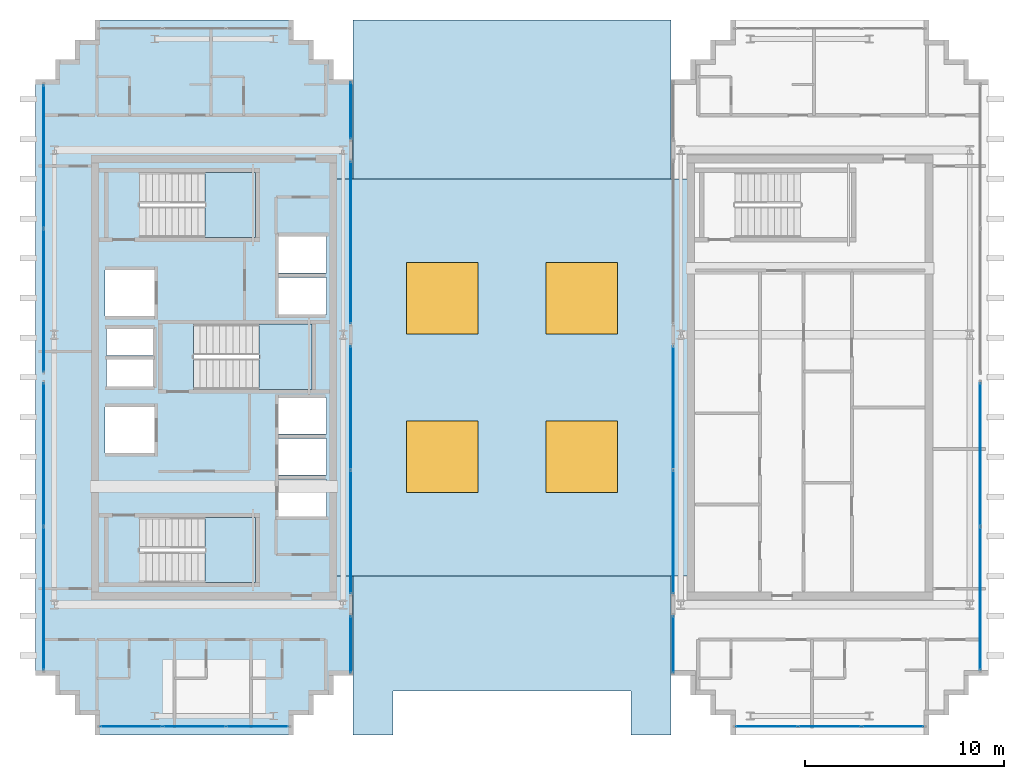
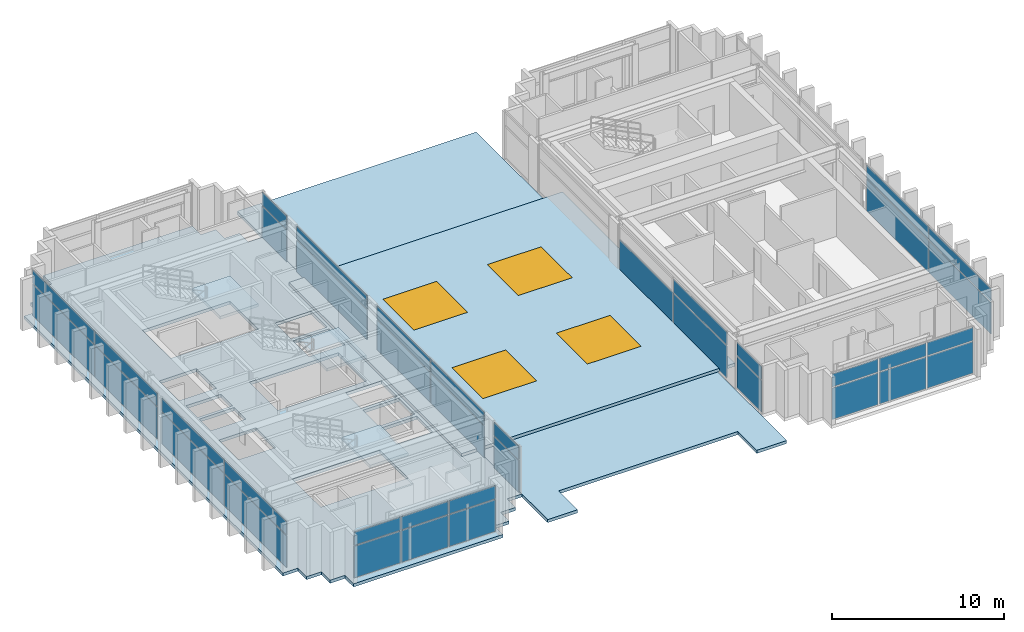
# One storey, part 18 of 25: 39 plates, 7 slabs, 4 windows, 4 openings, 14 elements without a shape of their own.
"""IFC4 building model written with IfcOpenShell, lengths in metres."""

from ifc_helpers import new_model, si_unit, direction, frame, origin, origin_2d, place, context, subcontext, project, spatial, polyline, rectangle, outline, extrude, source, transform, mapped, material, layer, layer_set, type_object, element, fill, aggregate, save


model = new_model("IFC4")

# Units and contexts
model_context = context("Model", 3, precision=1e-05, world=origin(), true_north=direction((0.0, 1.0)))
body_context = subcontext(model_context, "Body", "Model", "MODEL_VIEW")
ifc_project = project(units=[si_unit("LENGTHUNIT", "METRE"), si_unit("AREAUNIT", "SQUARE_METRE"), si_unit("VOLUMEUNIT", "CUBIC_METRE"), si_unit("PLANEANGLEUNIT", "RADIAN"), si_unit("MASSUNIT", "GRAM", prefix="KILO")], contexts=[model_context])

# Site, building, storey
site_placement = place(None, origin())
site = spatial("IfcSite", under=ifc_project, at=site_placement, CompositionType="ELEMENT")
building_placement = place(site_placement, origin())
building = spatial("IfcBuilding", under=site, at=building_placement, Name="Ocotamira Hotel", CompositionType="ELEMENT")
storey_placement = place(building_placement, frame((0.0, 0.0, 250.800048828125)))
storey = spatial("IfcBuildingStorey", under=building, at=storey_placement, Name="L63", CompositionType="ELEMENT", Elevation=250.800048828125)

# Stair, slab
ifc_material_1 = material(Name="Concrete C40/50", Category="concrete")
stair_type = type_object("IfcStairType", Name="ST-CORE-1560", PredefinedType="HALF_TURN_STAIR", material=ifc_material_1)
stair_1_placement = place(storey_placement, origin())
stair_1 = element("IfcStair", 1, at=stair_1_placement, inside=storey, type_object=stair_type, Name="L63 Exit Stair ST-1", PredefinedType="HALF_TURN_STAIR")
ifc_layer_1 = layer(ifc_material_1, 0.199951171875)
ifc_layer_set_1 = layer_set([ifc_layer_1], Name="Concrete C40/50")
slab_type_1 = type_object("IfcSlabType", Name="SLB-LAND-200", PredefinedType="LANDING", material=ifc_layer_set_1)
slab_1_placement = place(storey_placement, frame((0.0, 0.0, 1.599853515625)))
slab_1 = element("IfcSlab", 2, at=slab_1_placement, type_object=slab_type_1, Name="ST-1 landing 1", PredefinedType="LANDING", context=body_context, shape_type="SweptSolid", body=[
    extrude(outline(polyline([(16.530029296875, 15.669921875), (19.090087890625, 15.669921875), (19.090087890625, 18.949951171875), (16.530029296875, 18.949951171875), (16.530029296875, 15.669921875)])), origin(), (0.0, 0.0, 1.0), 0.2001953125),
])
aggregate(stair_1, [slab_1])

stair_2_placement = place(storey_placement, origin())
stair_2 = element("IfcStair", 3, at=stair_2_placement, inside=storey, type_object=stair_type, Name="L63 Exit Stair ST-2", PredefinedType="HALF_TURN_STAIR")
slab_2_placement = place(storey_placement, frame((0.0, 0.0, 1.599853515625)))
slab_2 = element("IfcSlab", 4, at=slab_2_placement, type_object=slab_type_1, Name="ST-2 landing 1", PredefinedType="LANDING", context=body_context, shape_type="SweptSolid", body=[
    extrude(outline(polyline([(16.530029296875, 33.050048828125), (19.090087890625, 33.050048828125), (19.090087890625, 36.330078125), (16.530029296875, 36.330078125), (16.530029296875, 33.050048828125)])), origin(), (0.0, 0.0, 1.0), 0.2001953125),
])
aggregate(stair_2, [slab_2])

stair_3_placement = place(storey_placement, origin())
stair_3 = element("IfcStair", 5, at=stair_3_placement, inside=storey, type_object=stair_type, Name="L63 Exit Stair ST-3", PredefinedType="HALF_TURN_STAIR")
slab_3_placement = place(storey_placement, frame((0.0, 0.0, 1.599853515625)))
slab_3 = element("IfcSlab", 6, at=slab_3_placement, type_object=slab_type_1, Name="ST-3 landing 1", PredefinedType="LANDING", context=body_context, shape_type="SweptSolid", body=[
    extrude(outline(polyline([(19.260009765625, 25.39990234375), (21.919921875, 25.39990234375), (21.919921875, 28.679931640625), (19.260009765625, 28.679931640625), (19.260009765625, 25.39990234375)])), origin(), (0.0, 0.0, 1.0), 0.2001953125),
])
aggregate(stair_3, [slab_3])

# Slab, openings, windows
ifc_layer_2 = layer(ifc_material_1, 0.219970703125)
ifc_layer_set_2 = layer_set([ifc_layer_2], Name="Concrete C40/50")
slab_type_2 = type_object("IfcSlabType", Name="SLB-ROOF-220", PredefinedType="ROOF", material=ifc_layer_set_2)
slab_4_placement = place(storey_placement, origin())
slab_4 = element("IfcSlab", 7, at=slab_4_placement, inside=storey, type_object=slab_type_2, Name="L63 Central Atrium Skylight Roof Deck", PredefinedType="ROOF", context=body_context, shape_type="SweptSolid", body=[
    extrude(outline(polyline([(22.85009765625, 16.0), (41.14990234375, 16.0), (41.14990234375, 36.0), (22.85009765625, 36.0), (22.85009765625, 16.0)])), origin(), (0.0, 0.0, 1.0), 0.219970703125),
])
opening_1_placement = place(slab_4_placement, frame((28.5, 22.0, 0.0)))
opening_1 = element("IfcOpeningElement", 8, at=opening_1_placement, cuts=slab_4, Name="Opening SK-1", PredefinedType="OPENING", context=body_context, shape_type="SweptSolid", body=[
    extrude(rectangle(XDim=3.60009765625, YDim=3.60009765625, at=origin_2d()), frame((0.0, 0.0, -0.010009765625)), (0.0, 0.0, 1.0), 0.239990234375),
])
opening_2_placement = place(slab_4_placement, frame((28.5, 30.0, 0.0)))
opening_2 = element("IfcOpeningElement", 9, at=opening_2_placement, cuts=slab_4, Name="Opening SK-1", PredefinedType="OPENING", context=body_context, shape_type="SweptSolid", body=[
    extrude(rectangle(XDim=3.60009765625, YDim=3.60009765625, at=origin_2d()), frame((0.0, 0.0, -0.010009765625)), (0.0, 0.0, 1.0), 0.239990234375),
])
opening_3_placement = place(slab_4_placement, frame((35.5, 22.0, 0.0)))
opening_3 = element("IfcOpeningElement", 10, at=opening_3_placement, cuts=slab_4, Name="Opening SK-1", PredefinedType="OPENING", context=body_context, shape_type="SweptSolid", body=[
    extrude(rectangle(XDim=3.60009765625, YDim=3.60009765625, at=origin_2d()), frame((0.0, 0.0, -0.010009765625)), (0.0, 0.0, 1.0), 0.239990234375),
])
opening_4_placement = place(slab_4_placement, frame((35.5, 30.0, 0.0)))
opening_4 = element("IfcOpeningElement", 11, at=opening_4_placement, cuts=slab_4, Name="Opening SK-1", PredefinedType="OPENING", context=body_context, shape_type="SweptSolid", body=[
    extrude(rectangle(XDim=3.60009765625, YDim=3.60009765625, at=origin_2d()), frame((0.0, 0.0, -0.010009765625)), (0.0, 0.0, 1.0), 0.239990234375),
])
ifc_material_2 = material(Name="Laminated structural skylight glass", Category="glass")
window_type = type_object("IfcWindowType", Name="WIN-SKY-3600", PartitioningType="SINGLE_PANEL", PredefinedType="SKYLIGHT", material=ifc_material_2)
window_1_placement = place(opening_1_placement, frame((0.0, 0.0, 0.169921875)))
window_1 = element("IfcWindow", 12, at=window_1_placement, inside=storey, type_object=window_type, Name="Central Atrium Roof Skylight 1.1", OverallHeight=3.60009765625, OverallWidth=3.60009765625, PartitioningType="SINGLE_PANEL", PredefinedType="SKYLIGHT", context=body_context, shape_type="SweptSolid", body=[
    extrude(rectangle(XDim=3.60009765625, YDim=3.60009765625, at=origin_2d()), origin(), (0.0, 0.0, 1.0), 0.050048828125),
])
fill(opening_1, window_1)
window_2_placement = place(opening_2_placement, frame((0.0, 0.0, 0.169921875)))
window_2 = element("IfcWindow", 13, at=window_2_placement, inside=storey, type_object=window_type, Name="Central Atrium Roof Skylight 1.2", OverallHeight=3.60009765625, OverallWidth=3.60009765625, PartitioningType="SINGLE_PANEL", PredefinedType="SKYLIGHT", context=body_context, shape_type="SweptSolid", body=[
    extrude(rectangle(XDim=3.60009765625, YDim=3.60009765625, at=origin_2d()), origin(), (0.0, 0.0, 1.0), 0.050048828125),
])
fill(opening_2, window_2)
window_3_placement = place(opening_3_placement, frame((0.0, 0.0, 0.169921875)))
window_3 = element("IfcWindow", 14, at=window_3_placement, inside=storey, type_object=window_type, Name="Central Atrium Roof Skylight 2.1", OverallHeight=3.60009765625, OverallWidth=3.60009765625, PartitioningType="SINGLE_PANEL", PredefinedType="SKYLIGHT", context=body_context, shape_type="SweptSolid", body=[
    extrude(rectangle(XDim=3.60009765625, YDim=3.60009765625, at=origin_2d()), origin(), (0.0, 0.0, 1.0), 0.050048828125),
])
fill(opening_3, window_3)
window_4_placement = place(opening_4_placement, frame((0.0, 0.0, 0.169921875)))
window_4 = element("IfcWindow", 15, at=window_4_placement, inside=storey, type_object=window_type, Name="Central Atrium Roof Skylight 2.2", OverallHeight=3.60009765625, OverallWidth=3.60009765625, PartitioningType="SINGLE_PANEL", PredefinedType="SKYLIGHT", context=body_context, shape_type="SweptSolid", body=[
    extrude(rectangle(XDim=3.60009765625, YDim=3.60009765625, at=origin_2d()), origin(), (0.0, 0.0, 1.0), 0.050048828125),
])
fill(opening_4, window_4)

# Slabs
slab_5_placement = place(storey_placement, frame((0.0, 0.0, -0.219970703125)))
element("IfcSlab", 16, at=slab_5_placement, inside=storey, type_object=slab_type_2, Name="L63 End-Strip Roof Z4C-S", PredefinedType="ROOF", context=body_context, shape_type="SweptSolid", body=[
    extrude(outline(polyline([(24.0, 8.0), (26.0, 8.0), (26.0, 10.199951171875), (38.0, 10.199951171875), (38.0, 8.0), (40.0, 8.0), (40.0, 16.0), (24.0, 16.0), (24.0, 8.0)])), origin(), (0.0, 0.0, 1.0), 0.219970703125),
])
slab_6_placement = place(storey_placement, frame((0.0, 0.0, -0.219970703125)))
element("IfcSlab", 17, at=slab_6_placement, inside=storey, type_object=slab_type_2, Name="L63 End-Strip Roof Z4C-N", PredefinedType="ROOF", context=body_context, shape_type="SweptSolid", body=[
    extrude(outline(polyline([(24.0, 36.0), (40.0, 36.0), (40.0, 44.0), (24.0, 44.0), (24.0, 36.0)])), origin(), (0.0, 0.0, 1.0), 0.219970703125),
])
ifc_layer_3 = layer(ifc_material_1, 0.219970703125)
ifc_layer_set_3 = layer_set([ifc_layer_3], Name="Concrete C40/50")
slab_type_3 = type_object("IfcSlabType", Name="SLB-UPP-220", PredefinedType="FLOOR", material=ifc_layer_set_3)
slab_7_placement = place(storey_placement, frame((0.0, 0.0, -0.219970703125)))
element("IfcSlab", 18, at=slab_7_placement, inside=storey, type_object=slab_type_3, Name="L63 Structural Floor Slab-P1", PredefinedType="FLOOR", context=body_context, shape_type="SweptSolid", body=[
    extrude(outline(polyline([(11.0, 8.0), (21.0, 8.0), (21.0, 9.0), (22.0, 9.0), (22.0, 10.0), (23.0, 10.0), (23.0, 11.0), (24.0, 11.0), (24.0, 41.0), (23.0, 41.0), (23.0, 42.0), (22.0, 42.0), (22.0, 43.0), (21.0, 43.0), (21.0, 44.0), (11.0, 44.0), (11.0, 43.0), (10.0, 43.0), (10.0, 42.0), (9.0, 42.0), (9.0, 41.0), (8.0, 41.0), (8.0, 11.0), (9.0, 11.0), (9.0, 10.0), (10.0, 10.0), (10.0, 9.0), (11.0, 9.0), (11.0, 8.0)]), holes=[polyline([(13.22998046875, 15.669921875), (19.090087890625, 15.669921875), (19.090087890625, 18.949951171875), (13.22998046875, 18.949951171875), (13.22998046875, 15.669921875)]), polyline([(13.22998046875, 33.050048828125), (19.090087890625, 33.050048828125), (19.090087890625, 36.330078125), (13.22998046875, 36.330078125), (13.22998046875, 33.050048828125)]), polyline([(15.9599609375, 25.39990234375), (21.919921875, 25.39990234375), (21.919921875, 28.679931640625), (15.9599609375, 28.679931640625), (15.9599609375, 25.39990234375)]), polyline([(20.25, 19.0), (22.659912109375, 19.0), (22.659912109375, 20.85009765625), (20.25, 20.85009765625), (20.25, 19.0)]), polyline([(20.25, 21.080078125), (22.659912109375, 21.080078125), (22.659912109375, 22.929931640625), (20.25, 22.929931640625), (20.25, 21.080078125)]), polyline([(20.25, 23.159912109375), (22.659912109375, 23.159912109375), (22.659912109375, 24.9599609375), (20.25, 24.9599609375), (20.25, 23.159912109375)]), polyline([(20.25, 29.179931640625), (22.659912109375, 29.179931640625), (22.659912109375, 31.030029296875), (20.25, 31.030029296875), (20.25, 29.179931640625)]), polyline([(20.25, 31.260009765625), (22.659912109375, 31.260009765625), (22.659912109375, 33.110107421875), (20.25, 33.110107421875), (20.25, 31.260009765625)]), polyline([(11.5, 22.199951171875), (14.0, 22.199951171875), (14.0, 24.5), (11.5, 24.5), (11.5, 22.199951171875)]), polyline([(11.5, 29.10009765625), (14.0, 29.10009765625), (14.0, 31.39990234375), (11.5, 31.39990234375), (11.5, 29.10009765625)]), polyline([(11.580078125, 25.550048828125), (13.919921875, 25.550048828125), (13.919921875, 26.89990234375), (11.580078125, 26.89990234375), (11.580078125, 25.550048828125)]), polyline([(11.580078125, 27.10009765625), (13.919921875, 27.10009765625), (13.919921875, 28.449951171875), (11.580078125, 28.449951171875), (11.580078125, 27.10009765625)])]), origin(), (0.0, 0.0, 1.0), 0.219970703125),
])

# Curtain wall, plates
ifc_material_3 = material(Name="Anodised pale-metal aluminium and solar glass", Category="aluminium")
ifc_layer_4 = layer(ifc_material_3, 0.2099609375)
ifc_layer_set_4 = layer_set([ifc_layer_4], Name="Anodised pale-metal aluminium and solar glass")
curtain_wall_type = type_object("IfcCurtainWallType", Name="CW-SYS7-PEAK", PredefinedType="NOTDEFINED", material=ifc_layer_set_4)
curtain_wall_1_placement = place(storey_placement, origin())
curtain_wall_1 = element("IfcCurtainWall", 19, at=curtain_wall_1_placement, inside=storey, type_object=curtain_wall_type, Name="L63 Curtain Wall CW-7 CW-L63-WS", PredefinedType="NOTDEFINED")
ifc_material_4 = material(Name="Double-silver low-E insulated solar glass", Category="glass")
ifc_layer_5 = layer(ifc_material_4, 0.031982421875)
ifc_layer_set_5 = layer_set([ifc_layer_5], Name="Double-silver low-E insulated solar glass")
plate_type = type_object("IfcPlateType", Name="CWP-VISION-32", PredefinedType="CURTAIN_PANEL", material=ifc_layer_set_5)
shared_shape_1 = source(origin(), body_context, "Body", "SweptSolid", [
    extrude(rectangle(XDim=3.080078125, YDim=0.031982421875, at=origin_2d()), origin(), (0.0, 0.0, 1.0), 2.237548828125),
])
plate_1_placement = place(storey_placement, frame((12.820068359375, 8.419921875, 0.07470703125), z_axis=(0.0, 0.0, 1.0), x_axis=(1.0, 0.0, 0.0)))
plate_1 = element("IfcPlate", 20, at=plate_1_placement, type_object=plate_type, Name="CW-7 panel 1.1", PredefinedType="CURTAIN_PANEL", context=body_context, shape_type="MappedRepresentation", body=[
    mapped(shared_shape_1, transform((0.0, 0.0, 0.0), scale=1.0)),
])
plate_2_placement = place(storey_placement, frame((19.179931640625, 8.419921875, 0.07470703125), z_axis=(0.0, 0.0, 1.0), x_axis=(1.0, 0.0, 0.0)))
plate_2 = element("IfcPlate", 21, at=plate_2_placement, type_object=plate_type, Name="CW-7 panel 3.1", PredefinedType="CURTAIN_PANEL", context=body_context, shape_type="MappedRepresentation", body=[
    mapped(shared_shape_1, transform((0.0, 0.0, 0.0), scale=1.0)),
])

curtain_wall_2_placement = place(storey_placement, origin())
curtain_wall_2 = element("IfcCurtainWall", 22, at=curtain_wall_2_placement, inside=storey, type_object=curtain_wall_type, Name="L63 Curtain Wall CW-7 CW-L63-ES", PredefinedType="NOTDEFINED")
plate_3_placement = place(storey_placement, frame((44.820068359375, 8.419921875, 0.07470703125), z_axis=(0.0, 0.0, 1.0), x_axis=(1.0, 0.0, 0.0)))
plate_3 = element("IfcPlate", 23, at=plate_3_placement, type_object=plate_type, Name="CW-7 panel 1.1", PredefinedType="CURTAIN_PANEL", context=body_context, shape_type="MappedRepresentation", body=[
    mapped(shared_shape_1, transform((0.0, 0.0, 0.0), scale=1.0)),
])
plate_4_placement = place(storey_placement, frame((51.179931640625, 8.419921875, 0.07470703125), z_axis=(0.0, 0.0, 1.0), x_axis=(1.0, 0.0, 0.0)))
plate_4 = element("IfcPlate", 24, at=plate_4_placement, type_object=plate_type, Name="CW-7 panel 3.1", PredefinedType="CURTAIN_PANEL", context=body_context, shape_type="MappedRepresentation", body=[
    mapped(shared_shape_1, transform((0.0, 0.0, 0.0), scale=1.0)),
])

# Plate
shared_shape_2 = source(origin(), body_context, "Body", "SweptSolid", [
    extrude(rectangle(XDim=3.080078125, YDim=0.031982421875, at=origin_2d()), origin(), (0.0, 0.0, 1.0), 0.91748046875),
])
plate_5_placement = place(storey_placement, frame((12.820068359375, 8.419921875, 2.387451171875), z_axis=(0.0, 0.0, 1.0), x_axis=(1.0, 0.0, 0.0)))
plate_5 = element("IfcPlate", 25, at=plate_5_placement, type_object=plate_type, Name="CW-7 panel 1.2", PredefinedType="CURTAIN_PANEL", context=body_context, shape_type="MappedRepresentation", body=[
    mapped(shared_shape_2, transform((0.0, 0.0, 0.0), scale=1.0)),
])

plate_6_placement = place(storey_placement, frame((19.179931640625, 8.419921875, 2.387451171875), z_axis=(0.0, 0.0, 1.0), x_axis=(1.0, 0.0, 0.0)))
plate_6 = element("IfcPlate", 26, at=plate_6_placement, type_object=plate_type, Name="CW-7 panel 3.2", PredefinedType="CURTAIN_PANEL", context=body_context, shape_type="MappedRepresentation", body=[
    mapped(shared_shape_2, transform((0.0, 0.0, 0.0), scale=1.0)),
])

plate_7_placement = place(storey_placement, frame((44.820068359375, 8.419921875, 2.387451171875), z_axis=(0.0, 0.0, 1.0), x_axis=(1.0, 0.0, 0.0)))
plate_7 = element("IfcPlate", 27, at=plate_7_placement, type_object=plate_type, Name="CW-7 panel 1.2", PredefinedType="CURTAIN_PANEL", context=body_context, shape_type="MappedRepresentation", body=[
    mapped(shared_shape_2, transform((0.0, 0.0, 0.0), scale=1.0)),
])

plate_8_placement = place(storey_placement, frame((51.179931640625, 8.419921875, 2.387451171875), z_axis=(0.0, 0.0, 1.0), x_axis=(1.0, 0.0, 0.0)))
plate_8 = element("IfcPlate", 28, at=plate_8_placement, type_object=plate_type, Name="CW-7 panel 3.2", PredefinedType="CURTAIN_PANEL", context=body_context, shape_type="MappedRepresentation", body=[
    mapped(shared_shape_2, transform((0.0, 0.0, 0.0), scale=1.0)),
])

shared_shape_3 = source(origin(), body_context, "Body", "SweptSolid", [
    extrude(rectangle(XDim=3.1201171875, YDim=0.031982421875, at=origin_2d()), origin(), (0.0, 0.0, 1.0), 2.237548828125),
])
plate_9_placement = place(storey_placement, frame((16.0, 8.419921875, 0.07470703125), z_axis=(0.0, 0.0, 1.0), x_axis=(1.0, 0.0, 0.0)))
plate_9 = element("IfcPlate", 29, at=plate_9_placement, type_object=plate_type, Name="CW-7 panel 2.1", PredefinedType="CURTAIN_PANEL", context=body_context, shape_type="MappedRepresentation", body=[
    mapped(shared_shape_3, transform((0.0, 0.0, 0.0), scale=1.0)),
])

plate_10_placement = place(storey_placement, frame((48.0, 8.419921875, 0.07470703125), z_axis=(0.0, 0.0, 1.0), x_axis=(1.0, 0.0, 0.0)))
plate_10 = element("IfcPlate", 30, at=plate_10_placement, type_object=plate_type, Name="CW-7 panel 2.1", PredefinedType="CURTAIN_PANEL", context=body_context, shape_type="MappedRepresentation", body=[
    mapped(shared_shape_3, transform((0.0, 0.0, 0.0), scale=1.0)),
])

shared_shape_4 = source(origin(), body_context, "Body", "SweptSolid", [
    extrude(rectangle(XDim=3.1201171875, YDim=0.031982421875, at=origin_2d()), origin(), (0.0, 0.0, 1.0), 0.91748046875),
])
plate_11_placement = place(storey_placement, frame((16.0, 8.419921875, 2.387451171875), z_axis=(0.0, 0.0, 1.0), x_axis=(1.0, 0.0, 0.0)))
plate_11 = element("IfcPlate", 31, at=plate_11_placement, type_object=plate_type, Name="CW-7 panel 2.2", PredefinedType="CURTAIN_PANEL", context=body_context, shape_type="MappedRepresentation", body=[
    mapped(shared_shape_4, transform((0.0, 0.0, 0.0), scale=1.0)),
])

aggregate(curtain_wall_1, [plate_1, plate_5, plate_9, plate_11, plate_2, plate_6])

plate_12_placement = place(storey_placement, frame((48.0, 8.419921875, 2.387451171875), z_axis=(0.0, 0.0, 1.0), x_axis=(1.0, 0.0, 0.0)))
plate_12 = element("IfcPlate", 32, at=plate_12_placement, type_object=plate_type, Name="CW-7 panel 2.2", PredefinedType="CURTAIN_PANEL", context=body_context, shape_type="MappedRepresentation", body=[
    mapped(shared_shape_4, transform((0.0, 0.0, 0.0), scale=1.0)),
])

aggregate(curtain_wall_2, [plate_3, plate_7, plate_10, plate_12, plate_4, plate_8])

# Curtain wall, plates
curtain_wall_3_placement = place(storey_placement, origin())
curtain_wall_3 = element("IfcCurtainWall", 33, at=curtain_wall_3_placement, inside=storey, type_object=curtain_wall_type, Name="L63 Curtain Wall CW-7 CW-L63-WO1", PredefinedType="NOTDEFINED")
shared_shape_5 = source(origin(), body_context, "Body", "SweptSolid", [
    extrude(rectangle(XDim=7.179931640625, YDim=0.031982421875, at=origin_2d()), origin(), (0.0, 0.0, 1.0), 2.237548828125),
])
plate_13_placement = place(storey_placement, frame((8.419921875, 14.8701171875, 0.07470703125), z_axis=(0.0, 0.0, 1.0), x_axis=(0.0, 1.0, 0.0)))
plate_13 = element("IfcPlate", 34, at=plate_13_placement, type_object=plate_type, Name="CW-7 panel 1.1", PredefinedType="CURTAIN_PANEL", context=body_context, shape_type="MappedRepresentation", body=[
    mapped(shared_shape_5, transform((0.0, 0.0, 0.0), scale=1.0)),
])
plate_14_placement = place(storey_placement, frame((8.419921875, 22.1298828125, 0.07470703125), z_axis=(0.0, 0.0, 1.0), x_axis=(0.0, 1.0, 0.0)))
plate_14 = element("IfcPlate", 35, at=plate_14_placement, type_object=plate_type, Name="CW-7 panel 2.1", PredefinedType="CURTAIN_PANEL", context=body_context, shape_type="MappedRepresentation", body=[
    mapped(shared_shape_5, transform((0.0, 0.0, 0.0), scale=1.0)),
])

curtain_wall_4_placement = place(storey_placement, origin())
curtain_wall_4 = element("IfcCurtainWall", 36, at=curtain_wall_4_placement, inside=storey, type_object=curtain_wall_type, Name="L63 Curtain Wall CW-7 CW-L63-WO2", PredefinedType="NOTDEFINED")
plate_15_placement = place(storey_placement, frame((8.419921875, 29.8701171875, 0.07470703125), z_axis=(0.0, 0.0, 1.0), x_axis=(0.0, 1.0, 0.0)))
plate_15 = element("IfcPlate", 37, at=plate_15_placement, type_object=plate_type, Name="CW-7 panel 1.1", PredefinedType="CURTAIN_PANEL", context=body_context, shape_type="MappedRepresentation", body=[
    mapped(shared_shape_5, transform((0.0, 0.0, 0.0), scale=1.0)),
])
plate_16_placement = place(storey_placement, frame((8.419921875, 37.1298828125, 0.07470703125), z_axis=(0.0, 0.0, 1.0), x_axis=(0.0, 1.0, 0.0)))
plate_16 = element("IfcPlate", 38, at=plate_16_placement, type_object=plate_type, Name="CW-7 panel 2.1", PredefinedType="CURTAIN_PANEL", context=body_context, shape_type="MappedRepresentation", body=[
    mapped(shared_shape_5, transform((0.0, 0.0, 0.0), scale=1.0)),
])

curtain_wall_5_placement = place(storey_placement, origin())
curtain_wall_5 = element("IfcCurtainWall", 39, at=curtain_wall_5_placement, inside=storey, type_object=curtain_wall_type, Name="L63 Curtain Wall CW-7 CW-L63-EO1", PredefinedType="NOTDEFINED")
plate_17_placement = place(storey_placement, frame((55.580078125, 14.8701171875, 0.07470703125), z_axis=(0.0, 0.0, 1.0), x_axis=(0.0, 1.0, 0.0)))
plate_17 = element("IfcPlate", 40, at=plate_17_placement, type_object=plate_type, Name="CW-7 panel 1.1", PredefinedType="CURTAIN_PANEL", context=body_context, shape_type="MappedRepresentation", body=[
    mapped(shared_shape_5, transform((0.0, 0.0, 0.0), scale=1.0)),
])
plate_18_placement = place(storey_placement, frame((55.580078125, 22.1298828125, 0.07470703125), z_axis=(0.0, 0.0, 1.0), x_axis=(0.0, 1.0, 0.0)))
plate_18 = element("IfcPlate", 41, at=plate_18_placement, type_object=plate_type, Name="CW-7 panel 2.1", PredefinedType="CURTAIN_PANEL", context=body_context, shape_type="MappedRepresentation", body=[
    mapped(shared_shape_5, transform((0.0, 0.0, 0.0), scale=1.0)),
])

# Plate
shared_shape_6 = source(origin(), body_context, "Body", "SweptSolid", [
    extrude(rectangle(XDim=7.179931640625, YDim=0.031982421875, at=origin_2d()), origin(), (0.0, 0.0, 1.0), 0.91748046875),
])
plate_19_placement = place(storey_placement, frame((8.419921875, 14.8701171875, 2.387451171875), z_axis=(0.0, 0.0, 1.0), x_axis=(0.0, 1.0, 0.0)))
plate_19 = element("IfcPlate", 42, at=plate_19_placement, type_object=plate_type, Name="CW-7 panel 1.2", PredefinedType="CURTAIN_PANEL", context=body_context, shape_type="MappedRepresentation", body=[
    mapped(shared_shape_6, transform((0.0, 0.0, 0.0), scale=1.0)),
])

plate_20_placement = place(storey_placement, frame((8.419921875, 22.1298828125, 2.387451171875), z_axis=(0.0, 0.0, 1.0), x_axis=(0.0, 1.0, 0.0)))
plate_20 = element("IfcPlate", 43, at=plate_20_placement, type_object=plate_type, Name="CW-7 panel 2.2", PredefinedType="CURTAIN_PANEL", context=body_context, shape_type="MappedRepresentation", body=[
    mapped(shared_shape_6, transform((0.0, 0.0, 0.0), scale=1.0)),
])

aggregate(curtain_wall_3, [plate_13, plate_19, plate_14, plate_20])

plate_21_placement = place(storey_placement, frame((8.419921875, 29.8701171875, 2.387451171875), z_axis=(0.0, 0.0, 1.0), x_axis=(0.0, 1.0, 0.0)))
plate_21 = element("IfcPlate", 44, at=plate_21_placement, type_object=plate_type, Name="CW-7 panel 1.2", PredefinedType="CURTAIN_PANEL", context=body_context, shape_type="MappedRepresentation", body=[
    mapped(shared_shape_6, transform((0.0, 0.0, 0.0), scale=1.0)),
])

plate_22_placement = place(storey_placement, frame((8.419921875, 37.1298828125, 2.387451171875), z_axis=(0.0, 0.0, 1.0), x_axis=(0.0, 1.0, 0.0)))
plate_22 = element("IfcPlate", 45, at=plate_22_placement, type_object=plate_type, Name="CW-7 panel 2.2", PredefinedType="CURTAIN_PANEL", context=body_context, shape_type="MappedRepresentation", body=[
    mapped(shared_shape_6, transform((0.0, 0.0, 0.0), scale=1.0)),
])

aggregate(curtain_wall_4, [plate_15, plate_21, plate_16, plate_22])

plate_23_placement = place(storey_placement, frame((55.580078125, 14.8701171875, 2.387451171875), z_axis=(0.0, 0.0, 1.0), x_axis=(0.0, 1.0, 0.0)))
plate_23 = element("IfcPlate", 46, at=plate_23_placement, type_object=plate_type, Name="CW-7 panel 1.2", PredefinedType="CURTAIN_PANEL", context=body_context, shape_type="MappedRepresentation", body=[
    mapped(shared_shape_6, transform((0.0, 0.0, 0.0), scale=1.0)),
])

plate_24_placement = place(storey_placement, frame((55.580078125, 22.1298828125, 2.387451171875), z_axis=(0.0, 0.0, 1.0), x_axis=(0.0, 1.0, 0.0)))
plate_24 = element("IfcPlate", 47, at=plate_24_placement, type_object=plate_type, Name="CW-7 panel 2.2", PredefinedType="CURTAIN_PANEL", context=body_context, shape_type="MappedRepresentation", body=[
    mapped(shared_shape_6, transform((0.0, 0.0, 0.0), scale=1.0)),
])

aggregate(curtain_wall_5, [plate_17, plate_23, plate_18, plate_24])

# Curtain wall, plate
curtain_wall_6_placement = place(storey_placement, origin())
curtain_wall_6 = element("IfcCurtainWall", 48, at=curtain_wall_6_placement, inside=storey, type_object=curtain_wall_type, Name="L63 Curtain Wall CW-7 CW-L63-WI1", PredefinedType="NOTDEFINED")
shared_shape_7 = source(origin(), body_context, "Body", "SweptSolid", [
    extrude(rectangle(XDim=2.840087890625, YDim=0.031982421875, at=origin_2d()), origin(), (0.0, 0.0, 1.0), 2.237548828125),
])
plate_25_placement = place(storey_placement, frame((23.8798828125, 12.550048828125, 0.07470703125), z_axis=(0.0, 0.0, 1.0), x_axis=(0.0, 1.0, 0.0)))
plate_25 = element("IfcPlate", 49, at=plate_25_placement, type_object=plate_type, Name="CW-7 panel 1.1", PredefinedType="CURTAIN_PANEL", context=body_context, shape_type="MappedRepresentation", body=[
    mapped(shared_shape_7, transform((0.0, 0.0, 0.0), scale=1.0)),
])

curtain_wall_7_placement = place(storey_placement, origin())
curtain_wall_7 = element("IfcCurtainWall", 50, at=curtain_wall_7_placement, inside=storey, type_object=curtain_wall_type, Name="L63 Curtain Wall CW-7 CW-L63-WI4", PredefinedType="NOTDEFINED")
plate_26_placement = place(storey_placement, frame((23.8798828125, 39.449951171875, 0.07470703125), z_axis=(0.0, 0.0, 1.0), x_axis=(0.0, 1.0, 0.0)))
plate_26 = element("IfcPlate", 51, at=plate_26_placement, type_object=plate_type, Name="CW-7 panel 1.1", PredefinedType="CURTAIN_PANEL", context=body_context, shape_type="MappedRepresentation", body=[
    mapped(shared_shape_7, transform((0.0, 0.0, 0.0), scale=1.0)),
])

curtain_wall_8_placement = place(storey_placement, origin())
curtain_wall_8 = element("IfcCurtainWall", 52, at=curtain_wall_8_placement, inside=storey, type_object=curtain_wall_type, Name="L63 Curtain Wall CW-7 CW-L63-EI1", PredefinedType="NOTDEFINED")
plate_27_placement = place(storey_placement, frame((40.1201171875, 12.550048828125, 0.07470703125), z_axis=(0.0, 0.0, 1.0), x_axis=(0.0, 1.0, 0.0)))
plate_27 = element("IfcPlate", 53, at=plate_27_placement, type_object=plate_type, Name="CW-7 panel 1.1", PredefinedType="CURTAIN_PANEL", context=body_context, shape_type="MappedRepresentation", body=[
    mapped(shared_shape_7, transform((0.0, 0.0, 0.0), scale=1.0)),
])

# Plate
shared_shape_8 = source(origin(), body_context, "Body", "SweptSolid", [
    extrude(rectangle(XDim=2.840087890625, YDim=0.031982421875, at=origin_2d()), origin(), (0.0, 0.0, 1.0), 0.91748046875),
])
plate_28_placement = place(storey_placement, frame((23.8798828125, 12.550048828125, 2.387451171875), z_axis=(0.0, 0.0, 1.0), x_axis=(0.0, 1.0, 0.0)))
plate_28 = element("IfcPlate", 54, at=plate_28_placement, type_object=plate_type, Name="CW-7 panel 1.2", PredefinedType="CURTAIN_PANEL", context=body_context, shape_type="MappedRepresentation", body=[
    mapped(shared_shape_8, transform((0.0, 0.0, 0.0), scale=1.0)),
])

aggregate(curtain_wall_6, [plate_25, plate_28])

plate_29_placement = place(storey_placement, frame((23.8798828125, 39.449951171875, 2.387451171875), z_axis=(0.0, 0.0, 1.0), x_axis=(0.0, 1.0, 0.0)))
plate_29 = element("IfcPlate", 55, at=plate_29_placement, type_object=plate_type, Name="CW-7 panel 1.2", PredefinedType="CURTAIN_PANEL", context=body_context, shape_type="MappedRepresentation", body=[
    mapped(shared_shape_8, transform((0.0, 0.0, 0.0), scale=1.0)),
])

aggregate(curtain_wall_7, [plate_26, plate_29])

plate_30_placement = place(storey_placement, frame((40.1201171875, 12.550048828125, 2.387451171875), z_axis=(0.0, 0.0, 1.0), x_axis=(0.0, 1.0, 0.0)))
plate_30 = element("IfcPlate", 56, at=plate_30_placement, type_object=plate_type, Name="CW-7 panel 1.2", PredefinedType="CURTAIN_PANEL", context=body_context, shape_type="MappedRepresentation", body=[
    mapped(shared_shape_8, transform((0.0, 0.0, 0.0), scale=1.0)),
])

aggregate(curtain_wall_8, [plate_27, plate_30])

# Curtain wall, plates
curtain_wall_9_placement = place(storey_placement, origin())
curtain_wall_9 = element("IfcCurtainWall", 57, at=curtain_wall_9_placement, inside=storey, type_object=curtain_wall_type, Name="L63 Curtain Wall CW-7 CW-L63-WI2", PredefinedType="NOTDEFINED")
shared_shape_9 = source(origin(), body_context, "Body", "SweptSolid", [
    extrude(rectangle(XDim=6.179931640625, YDim=0.031982421875, at=origin_2d()), origin(), (0.0, 0.0, 1.0), 2.237548828125),
])
plate_31_placement = place(storey_placement, frame((23.8798828125, 18.219970703125, 0.07470703125), z_axis=(0.0, 0.0, 1.0), x_axis=(0.0, 1.0, 0.0)))
plate_31 = element("IfcPlate", 58, at=plate_31_placement, type_object=plate_type, Name="CW-7 panel 1.1", PredefinedType="CURTAIN_PANEL", context=body_context, shape_type="MappedRepresentation", body=[
    mapped(shared_shape_9, transform((0.0, 0.0, 0.0), scale=1.0)),
])
plate_32_placement = place(storey_placement, frame((23.8798828125, 24.47998046875, 0.07470703125), z_axis=(0.0, 0.0, 1.0), x_axis=(0.0, 1.0, 0.0)))
plate_32 = element("IfcPlate", 59, at=plate_32_placement, type_object=plate_type, Name="CW-7 panel 2.1", PredefinedType="CURTAIN_PANEL", context=body_context, shape_type="MappedRepresentation", body=[
    mapped(shared_shape_9, transform((0.0, 0.0, 0.0), scale=1.0)),
])

curtain_wall_10_placement = place(storey_placement, origin())
curtain_wall_10 = element("IfcCurtainWall", 60, at=curtain_wall_10_placement, inside=storey, type_object=curtain_wall_type, Name="L63 Curtain Wall CW-7 CW-L63-EI2", PredefinedType="NOTDEFINED")
plate_33_placement = place(storey_placement, frame((40.1201171875, 18.219970703125, 0.07470703125), z_axis=(0.0, 0.0, 1.0), x_axis=(0.0, 1.0, 0.0)))
plate_33 = element("IfcPlate", 61, at=plate_33_placement, type_object=plate_type, Name="CW-7 panel 1.1", PredefinedType="CURTAIN_PANEL", context=body_context, shape_type="MappedRepresentation", body=[
    mapped(shared_shape_9, transform((0.0, 0.0, 0.0), scale=1.0)),
])
plate_34_placement = place(storey_placement, frame((40.1201171875, 24.47998046875, 0.07470703125), z_axis=(0.0, 0.0, 1.0), x_axis=(0.0, 1.0, 0.0)))
plate_34 = element("IfcPlate", 62, at=plate_34_placement, type_object=plate_type, Name="CW-7 panel 2.1", PredefinedType="CURTAIN_PANEL", context=body_context, shape_type="MappedRepresentation", body=[
    mapped(shared_shape_9, transform((0.0, 0.0, 0.0), scale=1.0)),
])

# Plate
shared_shape_10 = source(origin(), body_context, "Body", "SweptSolid", [
    extrude(rectangle(XDim=6.179931640625, YDim=0.031982421875, at=origin_2d()), origin(), (0.0, 0.0, 1.0), 0.91748046875),
])
plate_35_placement = place(storey_placement, frame((23.8798828125, 18.219970703125, 2.387451171875), z_axis=(0.0, 0.0, 1.0), x_axis=(0.0, 1.0, 0.0)))
plate_35 = element("IfcPlate", 63, at=plate_35_placement, type_object=plate_type, Name="CW-7 panel 1.2", PredefinedType="CURTAIN_PANEL", context=body_context, shape_type="MappedRepresentation", body=[
    mapped(shared_shape_10, transform((0.0, 0.0, 0.0), scale=1.0)),
])

plate_36_placement = place(storey_placement, frame((23.8798828125, 24.47998046875, 2.387451171875), z_axis=(0.0, 0.0, 1.0), x_axis=(0.0, 1.0, 0.0)))
plate_36 = element("IfcPlate", 64, at=plate_36_placement, type_object=plate_type, Name="CW-7 panel 2.2", PredefinedType="CURTAIN_PANEL", context=body_context, shape_type="MappedRepresentation", body=[
    mapped(shared_shape_10, transform((0.0, 0.0, 0.0), scale=1.0)),
])

aggregate(curtain_wall_9, [plate_31, plate_35, plate_32, plate_36])

plate_37_placement = place(storey_placement, frame((40.1201171875, 18.219970703125, 2.387451171875), z_axis=(0.0, 0.0, 1.0), x_axis=(0.0, 1.0, 0.0)))
plate_37 = element("IfcPlate", 65, at=plate_37_placement, type_object=plate_type, Name="CW-7 panel 1.2", PredefinedType="CURTAIN_PANEL", context=body_context, shape_type="MappedRepresentation", body=[
    mapped(shared_shape_10, transform((0.0, 0.0, 0.0), scale=1.0)),
])

aggregate(curtain_wall_10, [plate_33, plate_37, plate_34])

# Curtain wall, plates
curtain_wall_11_placement = place(storey_placement, origin())
curtain_wall_11 = element("IfcCurtainWall", 66, at=curtain_wall_11_placement, inside=storey, type_object=curtain_wall_type, Name="L63 Curtain Wall CW-7 CW-L63-WI3", PredefinedType="NOTDEFINED")
shared_shape_11 = source(origin(), body_context, "Body", "SweptSolid", [
    extrude(rectangle(XDim=8.139892578125, YDim=0.031982421875, at=origin_2d()), origin(), (0.0, 0.0, 1.0), 2.237548828125),
])
plate_38_placement = place(storey_placement, frame((23.8798828125, 32.800048828125, 0.07470703125), z_axis=(0.0, 0.0, 1.0), x_axis=(0.0, 1.0, 0.0)))
plate_38 = element("IfcPlate", 67, at=plate_38_placement, type_object=plate_type, Name="CW-7 panel 1.1", PredefinedType="CURTAIN_PANEL", context=body_context, shape_type="MappedRepresentation", body=[
    mapped(shared_shape_11, transform((0.0, 0.0, 0.0), scale=1.0)),
])
shared_shape_12 = source(origin(), body_context, "Body", "SweptSolid", [
    extrude(rectangle(XDim=8.139892578125, YDim=0.031982421875, at=origin_2d()), origin(), (0.0, 0.0, 1.0), 0.91748046875),
])
plate_39_placement = place(storey_placement, frame((23.8798828125, 32.800048828125, 2.387451171875), z_axis=(0.0, 0.0, 1.0), x_axis=(0.0, 1.0, 0.0)))
plate_39 = element("IfcPlate", 68, at=plate_39_placement, type_object=plate_type, Name="CW-7 panel 1.2", PredefinedType="CURTAIN_PANEL", context=body_context, shape_type="MappedRepresentation", body=[
    mapped(shared_shape_12, transform((0.0, 0.0, 0.0), scale=1.0)),
])
aggregate(curtain_wall_11, [plate_38, plate_39])

save(model, "model.ifc")
